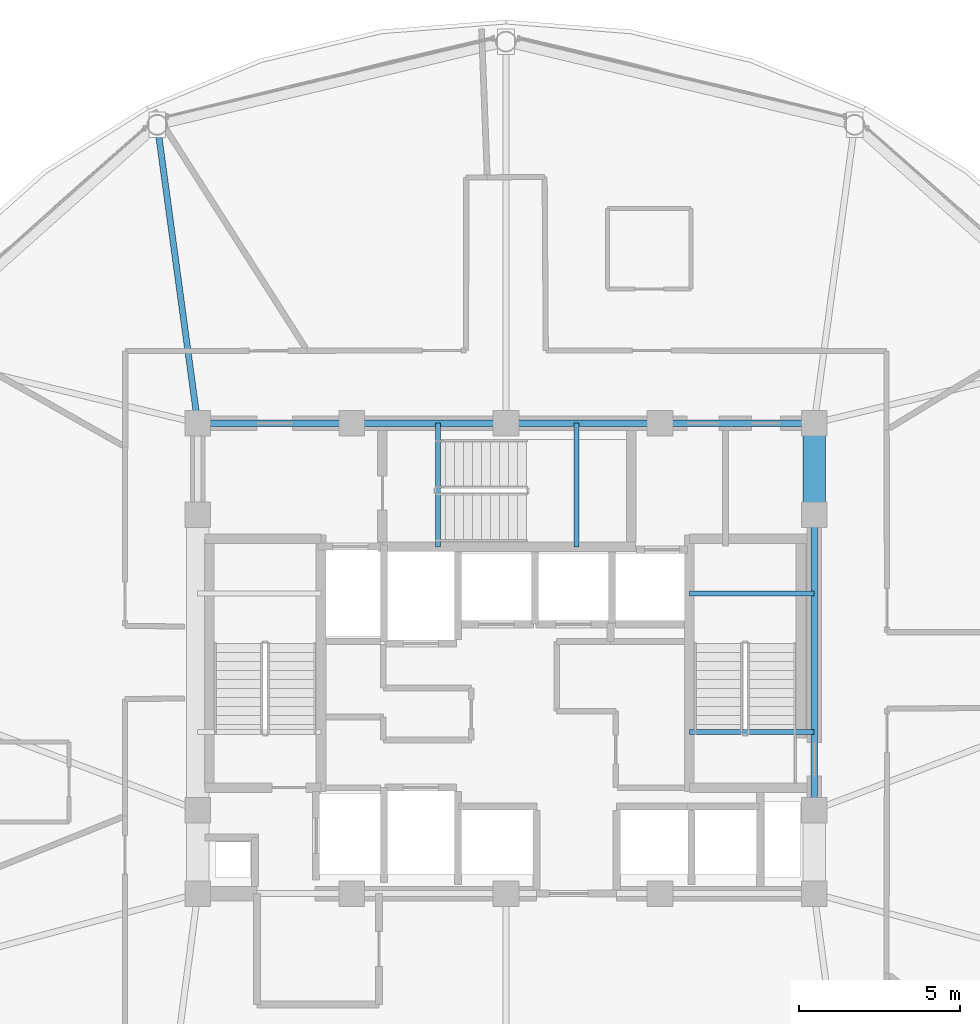
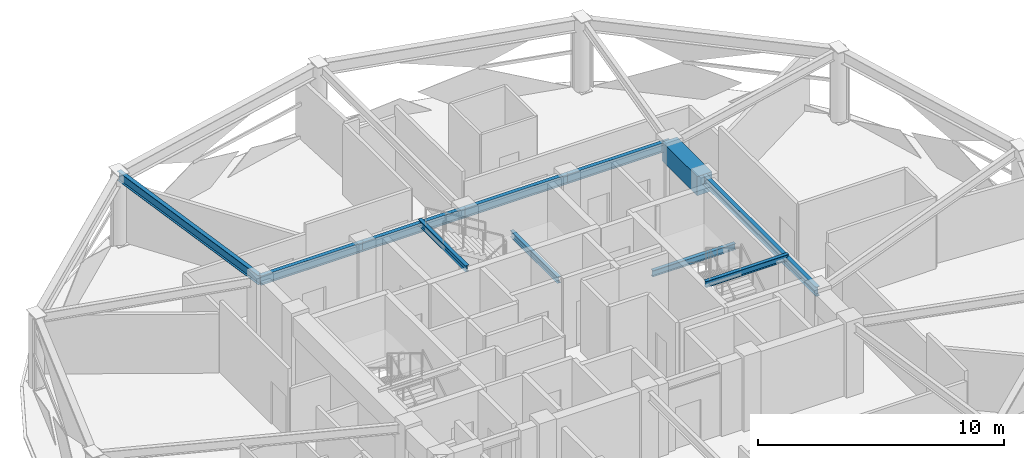
# One storey, part 10 of 28: 11 beams.
"""IFC4 building model written with IfcOpenShell, lengths in metres."""

from ifc_helpers import new_model, si_unit, direction, frame, origin, origin_2d, place, context, subcontext, project, spatial, rectangle, i_section, extrude, material, material_profile, profile_set, type_object, element, save


model = new_model("IFC4")

# Units and contexts
model_context = context("Model", 3, precision=1e-05, world=origin(), true_north=direction((0.0, 1.0)))
body_context = subcontext(model_context, "Body", "Model", "MODEL_VIEW")
ifc_project = project(units=[si_unit("LENGTHUNIT", "METRE"), si_unit("AREAUNIT", "SQUARE_METRE"), si_unit("VOLUMEUNIT", "CUBIC_METRE"), si_unit("PLANEANGLEUNIT", "RADIAN"), si_unit("MASSUNIT", "GRAM", prefix="KILO")], contexts=[model_context])

# Site, building, storey
site_placement = place(None, origin())
site = spatial("IfcSite", under=ifc_project, at=site_placement, CompositionType="ELEMENT")
building_placement = place(site_placement, origin())
building = spatial("IfcBuilding", under=site, at=building_placement, Name="Vantalir Tower", CompositionType="ELEMENT")
storey_placement = place(building_placement, frame((0.0, 0.0, 246.14990234375)))
storey = spatial("IfcBuildingStorey", under=building, at=storey_placement, Name="L62", CompositionType="ELEMENT", Elevation=246.14990234375)

# Beams
ifc_material_1 = material(Name="Concrete C60/75", Category="concrete")
ifc_material_profile_1 = material_profile(ifc_material_1, rectangle(XDim=0.699951171875, YDim=0.949951171875, at=origin_2d()), Name="Concrete C60/75")
ifc_profile_set_1 = profile_set([ifc_material_profile_1], Name="Concrete C60/75")
beam_type_1 = type_object("IfcBeamType", Name="BM-CB-700x950", PredefinedType="USERDEFINED", material=ifc_profile_set_1)
beam_1_placement = place(storey_placement, frame((41.10009765625, 29.60009765625, 3.09521484375), z_axis=(0.0, 1.0, 0.0), x_axis=(-1.0, 0.0, 0.0)))
element("IfcBeam", 1, at=beam_1_placement, inside=storey, type_object=beam_type_1, Name="L62 Core Coupling Girder 07", ObjectType="GIRDER", PredefinedType="USERDEFINED", context=body_context, shape_type="SweptSolid", body=[
    extrude(rectangle(XDim=0.699951171875, YDim=0.949951171875, at=origin_2d()), origin(), (0.0, 0.0, 1.0), 2.849853515625),
])
ifc_material_2 = material(Name="Steel S355", Category="steel")
ifc_material_profile_2 = material_profile(ifc_material_2, i_section(OverallWidth=0.166015625, OverallDepth=0.306884765625, WebThickness=0.006591796875, FlangeThickness=0.01171875, at=origin_2d()), Name="Steel S355")
ifc_profile_set_2 = profile_set([ifc_material_profile_2], Name="Steel S355")
beam_type_2 = type_object("IfcBeamType", Name="BM-JS-305x165", PredefinedType="JOIST", material=ifc_profile_set_2)
for number, where, z_axis, x_axis, name in (
    (2, (37.2099609375, 22.8349609375, 3.59619140625), (1.0, 0.0, 0.0), (0.0, 1.0, 0.0), "L63 Stair ST2 Well Nosing Trimmer Beam"),
    (3, (37.2099609375, 27.14501953125, 1.52099609375), (1.0, 0.0, 0.0), (0.0, 1.0, 0.0), "L62 Stair ST2 Half-Landing Support Beam"),
):
    element("IfcBeam", number, at=place(storey_placement, frame(where, z_axis=z_axis, x_axis=x_axis)), inside=storey, type_object=beam_type_2, Name=name, PredefinedType="JOIST", context=body_context, shape_type="SweptSolid", body=[
        extrude(i_section(OverallWidth=0.166015625, OverallDepth=0.306884765625, WebThickness=0.006591796875, FlangeThickness=0.01171875, at=origin_2d()), origin(), (0.0, 0.0, 1.0), 3.89013671875),
    ])
for number, where, z_axis, x_axis, name in (
    (4, (29.385009765625, 28.60009765625, 3.59619140625), (0.0, 1.0, 0.0), (-1.0, 0.0, 0.0), "L63 Stair ST3 Well Nosing Trimmer Beam"),
    (5, (33.695068359375, 28.60009765625, 1.52099609375), (0.0, 1.0, 0.0), (-1.0, 0.0, 0.0), "L62 Stair ST3 Half-Landing Support Beam"),
):
    element("IfcBeam", number, at=place(storey_placement, frame(where, z_axis=z_axis, x_axis=x_axis)), inside=storey, type_object=beam_type_2, Name=name, PredefinedType="JOIST", context=body_context, shape_type="SweptSolid", body=[
        extrude(i_section(OverallWidth=0.166015625, OverallDepth=0.306884765625, WebThickness=0.006591796875, FlangeThickness=0.01171875, at=origin_2d()), origin(), (0.0, 0.0, 1.0), 3.849853515625),
    ])
ifc_material_profile_3 = material_profile(ifc_material_2, i_section(OverallWidth=0.19189453125, OverallDepth=0.462890625, WebThickness=0.010498046875, FlangeThickness=0.017578125, at=origin_2d()), Name="Steel S355")
ifc_profile_set_3 = profile_set([ifc_material_profile_3], Name="Steel S355")
beam_type_3 = type_object("IfcBeamType", Name="BM-RB-457x191", PredefinedType="BEAM", material=ifc_profile_set_3)
beam_2_placement = place(storey_placement, frame((41.10009765625, 20.39990234375, 3.338134765625), z_axis=(0.0, 1.0, 0.0), x_axis=(-1.0, 0.0, 0.0)))
element("IfcBeam", 6, at=beam_2_placement, inside=storey, type_object=beam_type_3, Name="L62 Core Coupling Girder 06", PredefinedType="BEAM", context=body_context, shape_type="SweptSolid", body=[
    extrude(i_section(OverallWidth=0.19189453125, OverallDepth=0.462890625, WebThickness=0.010498046875, FlangeThickness=0.017578125, at=origin_2d()), origin(), (0.0, 0.0, 1.0), 9.2001953125),
])
for number, where, z_axis, x_axis, name in (
    (7, (41.10009765625, 32.449951171875, 3.338134765625), (-1.0, 0.0, 0.0), (0.0, -1.0, 0.0), "L62 Core Coupling Girder 08"),
    (8, (36.300048828125, 32.449951171875, 3.338134765625), (-1.0, 0.0, 0.0), (0.0, -1.0, 0.0), "L62 Core Coupling Girder 09"),
    (9, (31.5, 32.449951171875, 3.338134765625), (-1.0, 0.0, 0.0), (0.0, -1.0, 0.0), "L62 Core Coupling Girder 10"),
    (10, (26.699951171875, 32.449951171875, 3.338134765625), (-1.0, 0.0, 0.0), (0.0, -1.0, 0.0), "L62 Core Coupling Girder 11"),
):
    element("IfcBeam", number, at=place(storey_placement, frame(where, z_axis=z_axis, x_axis=x_axis)), inside=storey, type_object=beam_type_3, Name=name, PredefinedType="BEAM", context=body_context, shape_type="SweptSolid", body=[
        extrude(i_section(OverallWidth=0.19189453125, OverallDepth=0.462890625, WebThickness=0.010498046875, FlangeThickness=0.017578125, at=origin_2d()), origin(), (0.0, 0.0, 1.0), 4.800048828125),
    ])
beam_3_placement = place(storey_placement, frame((20.64111328125, 41.742919921875, 3.338134765625), z_axis=(0.134230220125, -0.99095017433, 0.0), x_axis=(0.99095017433, 0.134230220125, 0.0)))
element("IfcBeam", 11, at=beam_3_placement, inside=storey, type_object=beam_type_3, Name="L62 Radial Floor Beam 05", PredefinedType="BEAM", context=body_context, shape_type="SweptSolid", body=[
    extrude(i_section(OverallWidth=0.19189453125, OverallDepth=0.462890625, WebThickness=0.010498046875, FlangeThickness=0.017578125, at=origin_2d()), origin(), (0.0, 0.0, 1.0), 9.3779296875),
])

save(model, "model.ifc")
